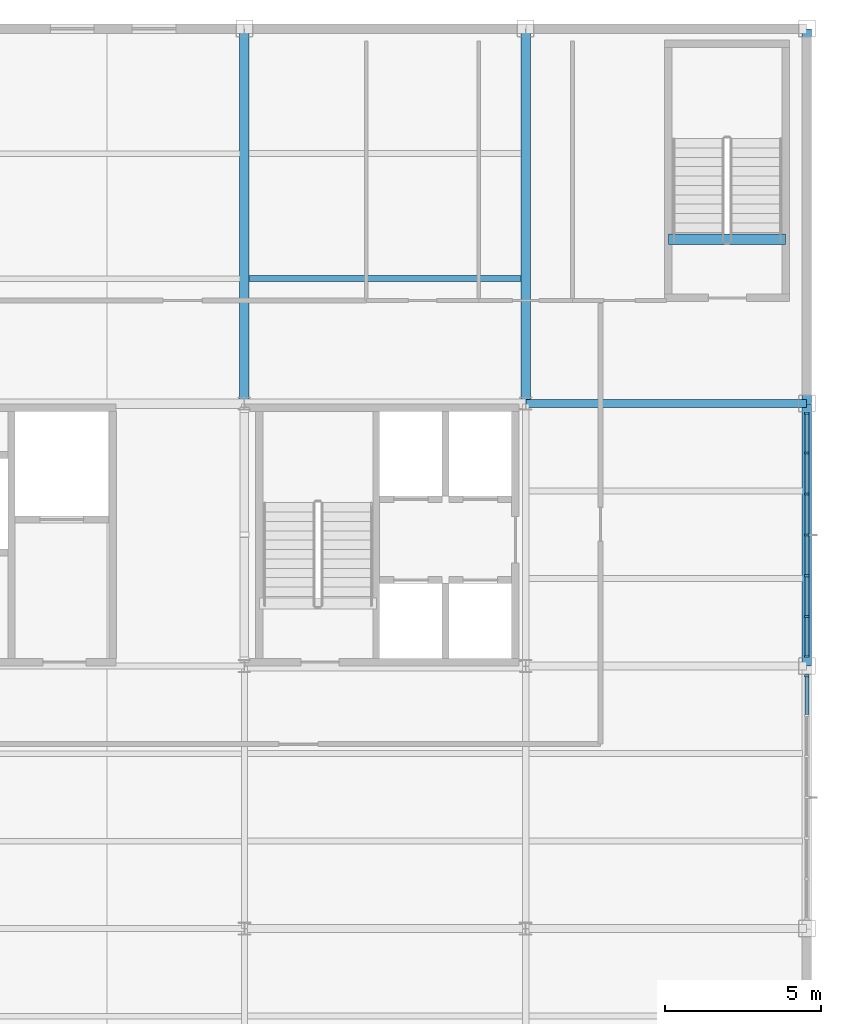
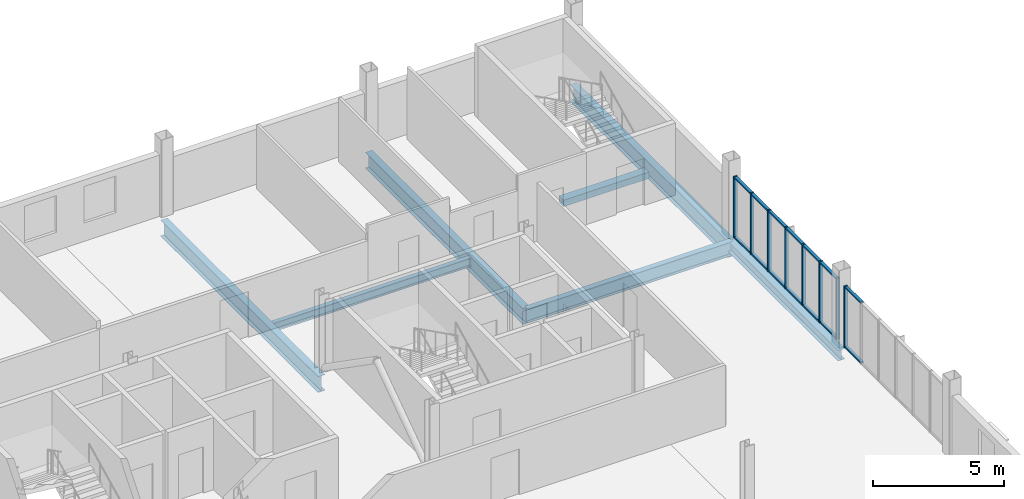
# One storey, part 8 of 18: 22 members, 7 beams, 2 elements without a shape of their own.
"""IFC4 building model written with IfcOpenShell, lengths in metres."""

from ifc_helpers import new_model, si_unit, direction, frame, origin, origin_2d, place, context, subcontext, project, spatial, rectangle, i_section, extrude, material, layer, layer_set, material_profile, profile_set, type_object, element, aggregate, save


model = new_model("IFC4")

# Units and contexts
model_context = context("Model", 3, precision=1e-05, world=origin(), true_north=direction((0.0, 1.0)))
body_context = subcontext(model_context, "Body", "Model", "MODEL_VIEW")
ifc_project = project(units=[si_unit("LENGTHUNIT", "METRE"), si_unit("AREAUNIT", "SQUARE_METRE"), si_unit("VOLUMEUNIT", "CUBIC_METRE"), si_unit("PLANEANGLEUNIT", "RADIAN"), si_unit("MASSUNIT", "GRAM", prefix="KILO")], contexts=[model_context])

# Site, building, storey
site_placement = place(None, origin())
site = spatial("IfcSite", under=ifc_project, at=site_placement, CompositionType="ELEMENT")
building_placement = place(site_placement, origin())
building = spatial("IfcBuilding", under=site, at=building_placement, Name="Yukiwa Park Conservatory and Herbarium", CompositionType="ELEMENT")
storey_placement = place(building_placement, frame((0.0, 0.0, 21.0)))
storey = spatial("IfcBuildingStorey", under=building, at=storey_placement, Name="L05", CompositionType="ELEMENT", Elevation=21.0)

# Beams
ifc_material_1 = material(Name="Steel Q355D", Category="steel")
ifc_material_profile_1 = material_profile(ifc_material_1, i_section(OverallWidth=0.25, OverallDepth=0.64990234375, WebThickness=0.011962890625, FlangeThickness=0.02001953125, FilletRadius=0.02392578125, at=origin_2d()), Name="HN 650x250x12x20")
ifc_profile_set_1 = profile_set([ifc_material_profile_1], Name="Steel Q355D")
beam_type_1 = type_object("IfcBeamType", Name="BM-GRD-HN650", PredefinedType="BEAM", material=ifc_profile_set_1)
beam_1_placement = place(storey_placement, frame((159.006103515625, 103.199951171875, -0.625), z_axis=(1.0, 0.0, 0.0), x_axis=(0.0, 1.0, 0.0)))
element("IfcBeam", 1, at=beam_1_placement, inside=storey, type_object=beam_type_1, Name="L05 grid beam X-21", PredefinedType="BEAM", context=body_context, shape_type="SweptSolid", body=[
    extrude(i_section(OverallWidth=0.25, OverallDepth=0.64990234375, WebThickness=0.011962890625, FlangeThickness=0.02001953125, FilletRadius=0.02392578125, at=origin_2d()), origin(), (0.0, 0.0, 1.0), 8.98779296875),
])
ifc_material_2 = material(Name="Steel Q355D", Category="steel")
ifc_material_profile_2 = material_profile(ifc_material_2, i_section(OverallWidth=0.300048828125, OverallDepth=0.75, WebThickness=0.012939453125, FlangeThickness=0.02392578125, FilletRadius=0.028076171875, at=origin_2d()), Name="HN 750x300x13x24")
ifc_profile_set_2 = profile_set([ifc_material_profile_2], Name="Steel Q355D")
beam_type_2 = type_object("IfcBeamType", Name="BM-GRD-HN750", PredefinedType="BEAM", material=ifc_profile_set_2)
for number, where, z_axis, x_axis, name in (
    (2, (150.0, 103.2060546875, -0.675048828125), (0.0, 1.0, 0.0), (-1.0, 0.0, 0.0), "L05 grid girder Y-46"),
    (3, (159.0, 103.2060546875, -0.675048828125), (0.0, 1.0, 0.0), (-1.0, 0.0, 0.0), "L05 grid girder Y-50"),
):
    element("IfcBeam", number, at=place(storey_placement, frame(where, z_axis=z_axis, x_axis=x_axis)), inside=storey, type_object=beam_type_2, Name=name, PredefinedType="BEAM", context=body_context, shape_type="SweptSolid", body=[
        extrude(i_section(OverallWidth=0.300048828125, OverallDepth=0.75, WebThickness=0.012939453125, FlangeThickness=0.02392578125, FilletRadius=0.028076171875, at=origin_2d()), origin(), (0.0, 0.0, 1.0), 11.988037109375),
    ])
ifc_material_3 = material(Name="Steel Q355D", Category="steel")
ifc_material_profile_3 = material_profile(ifc_material_3, i_section(OverallWidth=0.199951171875, OverallDepth=0.39990234375, WebThickness=0.008056640625, FlangeThickness=0.012939453125, FilletRadius=0.01611328125, at=origin_2d()), Name="HN 400x200x8x13")
ifc_profile_set_3 = profile_set([ifc_material_profile_3], Name="Steel Q355D")
beam_type_3 = type_object("IfcBeamType", Name="BM-JST-HN400", PredefinedType="JOIST", material=ifc_profile_set_3)
beam_2_placement = place(storey_placement, frame((150.14599609375, 107.199951171875, -0.5), z_axis=(1.0, 0.0, 0.0), x_axis=(0.0, 1.0, 0.0)))
element("IfcBeam", 4, at=beam_2_placement, inside=storey, type_object=beam_type_3, Name="L05 composite floor joist 29", PredefinedType="JOIST", context=body_context, shape_type="SweptSolid", body=[
    extrude(i_section(OverallWidth=0.199951171875, OverallDepth=0.39990234375, WebThickness=0.008056640625, FlangeThickness=0.012939453125, FilletRadius=0.01611328125, at=origin_2d()), origin(), (0.0, 0.0, 1.0), 8.7080078125),
])
ifc_material_4 = material(Name="Steel Q355D", Category="steel")
ifc_material_profile_4 = material_profile(ifc_material_4, i_section(OverallWidth=0.300048828125, OverallDepth=0.5, WebThickness=0.010986328125, FlangeThickness=0.01806640625, FilletRadius=0.02392578125, at=origin_2d()), Name="HM 500x300x11x18")
ifc_profile_set_4 = profile_set([ifc_material_profile_4], Name="Steel Q355D")
beam_type_4 = type_object("IfcBeamType", Name="BM-SPN-HN500", PredefinedType="SPANDREL", material=ifc_profile_set_4)
beam_3_placement = place(storey_placement, frame((168.0, 94.805908203125, -0.550048828125), z_axis=(0.0, 1.0, 0.0), x_axis=(-1.0, 0.0, 0.0)))
element("IfcBeam", 5, at=beam_3_placement, inside=storey, type_object=beam_type_4, Name="L05 spandrel girder Y-53", PredefinedType="SPANDREL", context=body_context, shape_type="SweptSolid", body=[
    extrude(i_section(OverallWidth=0.300048828125, OverallDepth=0.5, WebThickness=0.010986328125, FlangeThickness=0.01806640625, FilletRadius=0.02392578125, at=origin_2d()), origin(), (0.0, 0.0, 1.0), 8.38818359375),
])
ifc_material_5 = material(Name="Steel Q355D", Category="steel")
ifc_material_profile_5 = material_profile(ifc_material_5, i_section(OverallWidth=0.300048828125, OverallDepth=0.7919921875, WebThickness=0.013916015625, FlangeThickness=0.02197265625, FilletRadius=0.028076171875, at=origin_2d()), Name="HN 792x300x14x22")
ifc_profile_set_5 = profile_set([ifc_material_profile_5], Name="Steel Q355D")
beam_type_5 = type_object("IfcBeamType", Name="BM-SPN-HN600", PredefinedType="SPANDREL", material=ifc_profile_set_5)
beam_4_placement = place(storey_placement, frame((168.0, 103.2060546875, -0.696044921875), z_axis=(0.0, 1.0, 0.0), x_axis=(-1.0, 0.0, 0.0)))
element("IfcBeam", 6, at=beam_4_placement, inside=storey, type_object=beam_type_5, Name="L05 spandrel girder Y-54", PredefinedType="SPANDREL", context=body_context, shape_type="SweptSolid", body=[
    extrude(i_section(OverallWidth=0.300048828125, OverallDepth=0.7919921875, WebThickness=0.013916015625, FlangeThickness=0.02197265625, FilletRadius=0.028076171875, at=origin_2d()), origin(), (0.0, 0.0, 1.0), 11.988037109375),
])
ifc_material_6 = material(Name="Concrete C40", Category="concrete")
ifc_material_profile_6 = material_profile(ifc_material_6, rectangle(XDim=0.35009765625, YDim=0.300048828125, at=origin_2d()), Name="RC 350x300")
ifc_profile_set_6 = profile_set([ifc_material_profile_6], Name="Concrete C40")
beam_type_6 = type_object("IfcBeamType", Name="BM-STAIR-TRIM", PredefinedType="BEAM", material=ifc_profile_set_6)
beam_5_placement = place(storey_placement, frame((163.570068359375, 108.4599609375, -0.14990234375), z_axis=(1.0, 0.0, 0.0), x_axis=(0.0, 1.0, 0.0)))
element("IfcBeam", 7, at=beam_5_placement, inside=storey, type_object=beam_type_6, Name="Stair ST-T3 L05 landing trimmer beam", PredefinedType="BEAM", context=body_context, shape_type="SweptSolid", body=[
    extrude(rectangle(XDim=0.35009765625, YDim=0.300048828125, at=origin_2d()), origin(), (0.0, 0.0, 1.0), 3.75),
])

# Curtain wall, member
ifc_material_7 = material(Name="Triple Low-E Insulated Glass", Category="glass")
ifc_layer = layer(ifc_material_7, 0.22412109375)
ifc_layer_set = layer_set([ifc_layer], Name="Triple Low-E Insulated Glass")
curtain_wall_type = type_object("IfcCurtainWallType", Name="CW-TOWER-CORNER-1400", PredefinedType="NOTDEFINED", material=ifc_layer_set)
curtain_wall_1_placement = place(storey_placement, origin())
curtain_wall_1 = element("IfcCurtainWall", 8, at=curtain_wall_1_placement, inside=storey, type_object=curtain_wall_type, Name="L05 unitised curtain wall CW-L05-080", PredefinedType="NOTDEFINED")
ifc_material_8 = material(Name="Anodised Aluminium", Category="aluminium")
member_type_1 = type_object("IfcMemberType", Name="MB-CW-MUL-70X150", PredefinedType="MULLION", material=ifc_material_8)
member_1_placement = place(storey_placement, frame((168.0, 94.489990234375, 0.0), z_axis=(0.0, 0.0, 1.0), x_axis=(0.0, 1.0, 0.0)))
member_1 = element("IfcMember", 9, at=member_1_placement, type_object=member_type_1, Name="CW-L05-080 mullion 7", PredefinedType="MULLION", context=body_context, shape_type="SweptSolid", body=[
    extrude(rectangle(XDim=0.070068359375, YDim=0.14990234375, at=origin_2d()), origin(), (0.0, 0.0, 1.0), 2.85009765625),
])

# Curtain wall, members
curtain_wall_2_placement = place(storey_placement, origin())
curtain_wall_2 = element("IfcCurtainWall", 10, at=curtain_wall_2_placement, inside=storey, type_object=curtain_wall_type, Name="L05 unitised curtain wall CW-L05-081", PredefinedType="NOTDEFINED")
member_2_placement = place(storey_placement, frame((168.0, 95.110107421875, 0.0), z_axis=(0.0, 0.0, 1.0), x_axis=(0.0, 1.0, 0.0)))
member_2 = element("IfcMember", 11, at=member_2_placement, type_object=member_type_1, Name="CW-L05-081 mullion 1", PredefinedType="MULLION", context=body_context, shape_type="SweptSolid", body=[
    extrude(rectangle(XDim=0.070068359375, YDim=0.14990234375, at=origin_2d()), origin(), (0.0, 0.0, 1.0), 2.85009765625),
])
member_3_placement = place(storey_placement, frame((168.0, 96.38330078125, 0.0), z_axis=(0.0, 0.0, 1.0), x_axis=(0.0, 1.0, 0.0)))
member_3 = element("IfcMember", 12, at=member_3_placement, type_object=member_type_1, Name="CW-L05-081 mullion 2", PredefinedType="MULLION", context=body_context, shape_type="SweptSolid", body=[
    extrude(rectangle(XDim=0.070068359375, YDim=0.14990234375, at=origin_2d()), origin(), (0.0, 0.0, 1.0), 2.85009765625),
])
member_4_placement = place(storey_placement, frame((168.0, 97.691650390625, 0.0), z_axis=(0.0, 0.0, 1.0), x_axis=(0.0, 1.0, 0.0)))
member_4 = element("IfcMember", 13, at=member_4_placement, type_object=member_type_1, Name="CW-L05-081 mullion 3", PredefinedType="MULLION", context=body_context, shape_type="SweptSolid", body=[
    extrude(rectangle(XDim=0.070068359375, YDim=0.14990234375, at=origin_2d()), origin(), (0.0, 0.0, 1.0), 2.85009765625),
])
member_5_placement = place(storey_placement, frame((168.0, 99.0, 0.0), z_axis=(0.0, 0.0, 1.0), x_axis=(0.0, 1.0, 0.0)))
member_5 = element("IfcMember", 14, at=member_5_placement, type_object=member_type_1, Name="CW-L05-081 mullion 4", PredefinedType="MULLION", context=body_context, shape_type="SweptSolid", body=[
    extrude(rectangle(XDim=0.070068359375, YDim=0.14990234375, at=origin_2d()), origin(), (0.0, 0.0, 1.0), 2.85009765625),
])
member_6_placement = place(storey_placement, frame((168.0, 100.308349609375, 0.0), z_axis=(0.0, 0.0, 1.0), x_axis=(0.0, 1.0, 0.0)))
member_6 = element("IfcMember", 15, at=member_6_placement, type_object=member_type_1, Name="CW-L05-081 mullion 5", PredefinedType="MULLION", context=body_context, shape_type="SweptSolid", body=[
    extrude(rectangle(XDim=0.070068359375, YDim=0.14990234375, at=origin_2d()), origin(), (0.0, 0.0, 1.0), 2.85009765625),
])
member_7_placement = place(storey_placement, frame((168.0, 101.61669921875, 0.0), z_axis=(0.0, 0.0, 1.0), x_axis=(0.0, 1.0, 0.0)))
member_7 = element("IfcMember", 16, at=member_7_placement, type_object=member_type_1, Name="CW-L05-081 mullion 6", PredefinedType="MULLION", context=body_context, shape_type="SweptSolid", body=[
    extrude(rectangle(XDim=0.070068359375, YDim=0.14990234375, at=origin_2d()), origin(), (0.0, 0.0, 1.0), 2.85009765625),
])
member_8_placement = place(storey_placement, frame((168.0, 102.889892578125, 0.0), z_axis=(0.0, 0.0, 1.0), x_axis=(0.0, 1.0, 0.0)))
member_8 = element("IfcMember", 17, at=member_8_placement, type_object=member_type_1, Name="CW-L05-081 mullion 7", PredefinedType="MULLION", context=body_context, shape_type="SweptSolid", body=[
    extrude(rectangle(XDim=0.070068359375, YDim=0.14990234375, at=origin_2d()), origin(), (0.0, 0.0, 1.0), 2.85009765625),
])

# Member
ifc_material_9 = material(Name="Anodised Aluminium", Category="aluminium")
member_type_2 = type_object("IfcMemberType", Name="MB-CW-TRN-70X130", PredefinedType="USERDEFINED", material=ifc_material_9)
member_9_placement = place(storey_placement, frame((168.0, 93.870849609375, 0.0), z_axis=(0.0, 0.0, 1.0), x_axis=(0.0, 1.0, 0.0)))
member_9 = element("IfcMember", 18, at=member_9_placement, type_object=member_type_2, Name="CW-L05-080 transom 6.1", ObjectType="TRANSOM", PredefinedType="USERDEFINED", context=body_context, shape_type="SweptSolid", body=[
    extrude(rectangle(XDim=1.23828125, YDim=0.1298828125, at=origin_2d()), origin(), (0.0, 0.0, 1.0), 0.070068359375),
])

member_10_placement = place(storey_placement, frame((168.0, 93.870849609375, 2.77978515625), z_axis=(0.0, 0.0, 1.0), x_axis=(0.0, 1.0, 0.0)))
member_10 = element("IfcMember", 19, at=member_10_placement, type_object=member_type_2, Name="CW-L05-080 transom 6.2", ObjectType="TRANSOM", PredefinedType="USERDEFINED", context=body_context, shape_type="SweptSolid", body=[
    extrude(rectangle(XDim=1.23828125, YDim=0.1298828125, at=origin_2d()), origin(), (0.0, 0.0, 1.0), 0.070068359375),
])

aggregate(curtain_wall_1, [member_1, member_9, member_10])

member_11_placement = place(storey_placement, frame((168.0, 95.729248046875, 0.0), z_axis=(0.0, 0.0, 1.0), x_axis=(0.0, 1.0, 0.0)))
member_11 = element("IfcMember", 20, at=member_11_placement, type_object=member_type_2, Name="CW-L05-081 transom 1.1", ObjectType="TRANSOM", PredefinedType="USERDEFINED", context=body_context, shape_type="SweptSolid", body=[
    extrude(rectangle(XDim=1.23828125, YDim=0.1298828125, at=origin_2d()), origin(), (0.0, 0.0, 1.0), 0.070068359375),
])

member_12_placement = place(storey_placement, frame((168.0, 95.729248046875, 2.77978515625), z_axis=(0.0, 0.0, 1.0), x_axis=(0.0, 1.0, 0.0)))
member_12 = element("IfcMember", 21, at=member_12_placement, type_object=member_type_2, Name="CW-L05-081 transom 1.2", ObjectType="TRANSOM", PredefinedType="USERDEFINED", context=body_context, shape_type="SweptSolid", body=[
    extrude(rectangle(XDim=1.23828125, YDim=0.1298828125, at=origin_2d()), origin(), (0.0, 0.0, 1.0), 0.070068359375),
])

member_13_placement = place(storey_placement, frame((168.0, 97.03759765625, 0.0), z_axis=(0.0, 0.0, 1.0), x_axis=(0.0, 1.0, 0.0)))
member_13 = element("IfcMember", 22, at=member_13_placement, type_object=member_type_2, Name="CW-L05-081 transom 2.1", ObjectType="TRANSOM", PredefinedType="USERDEFINED", context=body_context, shape_type="SweptSolid", body=[
    extrude(rectangle(XDim=1.23828125, YDim=0.1298828125, at=origin_2d()), origin(), (0.0, 0.0, 1.0), 0.070068359375),
])

member_14_placement = place(storey_placement, frame((168.0, 97.03759765625, 2.77978515625), z_axis=(0.0, 0.0, 1.0), x_axis=(0.0, 1.0, 0.0)))
member_14 = element("IfcMember", 23, at=member_14_placement, type_object=member_type_2, Name="CW-L05-081 transom 2.2", ObjectType="TRANSOM", PredefinedType="USERDEFINED", context=body_context, shape_type="SweptSolid", body=[
    extrude(rectangle(XDim=1.23828125, YDim=0.1298828125, at=origin_2d()), origin(), (0.0, 0.0, 1.0), 0.070068359375),
])

member_15_placement = place(storey_placement, frame((168.0, 98.345703125, 0.0), z_axis=(0.0, 0.0, 1.0), x_axis=(0.0, 1.0, 0.0)))
member_15 = element("IfcMember", 24, at=member_15_placement, type_object=member_type_2, Name="CW-L05-081 transom 3.1", ObjectType="TRANSOM", PredefinedType="USERDEFINED", context=body_context, shape_type="SweptSolid", body=[
    extrude(rectangle(XDim=1.23828125, YDim=0.1298828125, at=origin_2d()), origin(), (0.0, 0.0, 1.0), 0.070068359375),
])

member_16_placement = place(storey_placement, frame((168.0, 98.345703125, 2.77978515625), z_axis=(0.0, 0.0, 1.0), x_axis=(0.0, 1.0, 0.0)))
member_16 = element("IfcMember", 25, at=member_16_placement, type_object=member_type_2, Name="CW-L05-081 transom 3.2", ObjectType="TRANSOM", PredefinedType="USERDEFINED", context=body_context, shape_type="SweptSolid", body=[
    extrude(rectangle(XDim=1.23828125, YDim=0.1298828125, at=origin_2d()), origin(), (0.0, 0.0, 1.0), 0.070068359375),
])

member_17_placement = place(storey_placement, frame((168.0, 99.654296875, 0.0), z_axis=(0.0, 0.0, 1.0), x_axis=(0.0, 1.0, 0.0)))
member_17 = element("IfcMember", 26, at=member_17_placement, type_object=member_type_2, Name="CW-L05-081 transom 4.1", ObjectType="TRANSOM", PredefinedType="USERDEFINED", context=body_context, shape_type="SweptSolid", body=[
    extrude(rectangle(XDim=1.23828125, YDim=0.1298828125, at=origin_2d()), origin(), (0.0, 0.0, 1.0), 0.070068359375),
])

member_18_placement = place(storey_placement, frame((168.0, 99.654296875, 2.77978515625), z_axis=(0.0, 0.0, 1.0), x_axis=(0.0, 1.0, 0.0)))
member_18 = element("IfcMember", 27, at=member_18_placement, type_object=member_type_2, Name="CW-L05-081 transom 4.2", ObjectType="TRANSOM", PredefinedType="USERDEFINED", context=body_context, shape_type="SweptSolid", body=[
    extrude(rectangle(XDim=1.23828125, YDim=0.1298828125, at=origin_2d()), origin(), (0.0, 0.0, 1.0), 0.070068359375),
])

member_19_placement = place(storey_placement, frame((168.0, 100.96240234375, 0.0), z_axis=(0.0, 0.0, 1.0), x_axis=(0.0, 1.0, 0.0)))
member_19 = element("IfcMember", 28, at=member_19_placement, type_object=member_type_2, Name="CW-L05-081 transom 5.1", ObjectType="TRANSOM", PredefinedType="USERDEFINED", context=body_context, shape_type="SweptSolid", body=[
    extrude(rectangle(XDim=1.23828125, YDim=0.1298828125, at=origin_2d()), origin(), (0.0, 0.0, 1.0), 0.070068359375),
])

member_20_placement = place(storey_placement, frame((168.0, 100.96240234375, 2.77978515625), z_axis=(0.0, 0.0, 1.0), x_axis=(0.0, 1.0, 0.0)))
member_20 = element("IfcMember", 29, at=member_20_placement, type_object=member_type_2, Name="CW-L05-081 transom 5.2", ObjectType="TRANSOM", PredefinedType="USERDEFINED", context=body_context, shape_type="SweptSolid", body=[
    extrude(rectangle(XDim=1.23828125, YDim=0.1298828125, at=origin_2d()), origin(), (0.0, 0.0, 1.0), 0.070068359375),
])

member_21_placement = place(storey_placement, frame((168.0, 102.270751953125, 0.0), z_axis=(0.0, 0.0, 1.0), x_axis=(0.0, 1.0, 0.0)))
member_21 = element("IfcMember", 30, at=member_21_placement, type_object=member_type_2, Name="CW-L05-081 transom 6.1", ObjectType="TRANSOM", PredefinedType="USERDEFINED", context=body_context, shape_type="SweptSolid", body=[
    extrude(rectangle(XDim=1.23828125, YDim=0.1298828125, at=origin_2d()), origin(), (0.0, 0.0, 1.0), 0.070068359375),
])

member_22_placement = place(storey_placement, frame((168.0, 102.270751953125, 2.77978515625), z_axis=(0.0, 0.0, 1.0), x_axis=(0.0, 1.0, 0.0)))
member_22 = element("IfcMember", 31, at=member_22_placement, type_object=member_type_2, Name="CW-L05-081 transom 6.2", ObjectType="TRANSOM", PredefinedType="USERDEFINED", context=body_context, shape_type="SweptSolid", body=[
    extrude(rectangle(XDim=1.23828125, YDim=0.1298828125, at=origin_2d()), origin(), (0.0, 0.0, 1.0), 0.070068359375),
])

aggregate(curtain_wall_2, [member_2, member_3, member_4, member_5, member_6, member_7, member_8, member_11, member_12, member_13, member_14, member_15, member_16, member_17, member_18, member_19, member_20, member_21, member_22])

save(model, "model.ifc")
